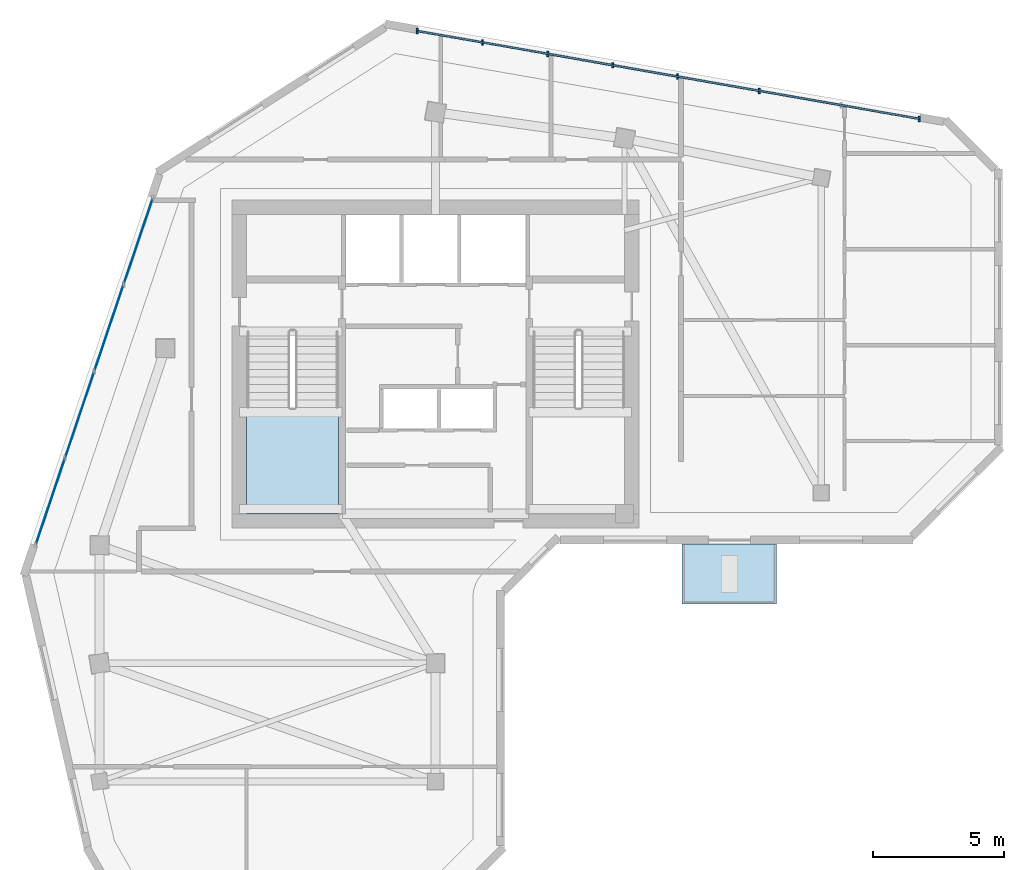
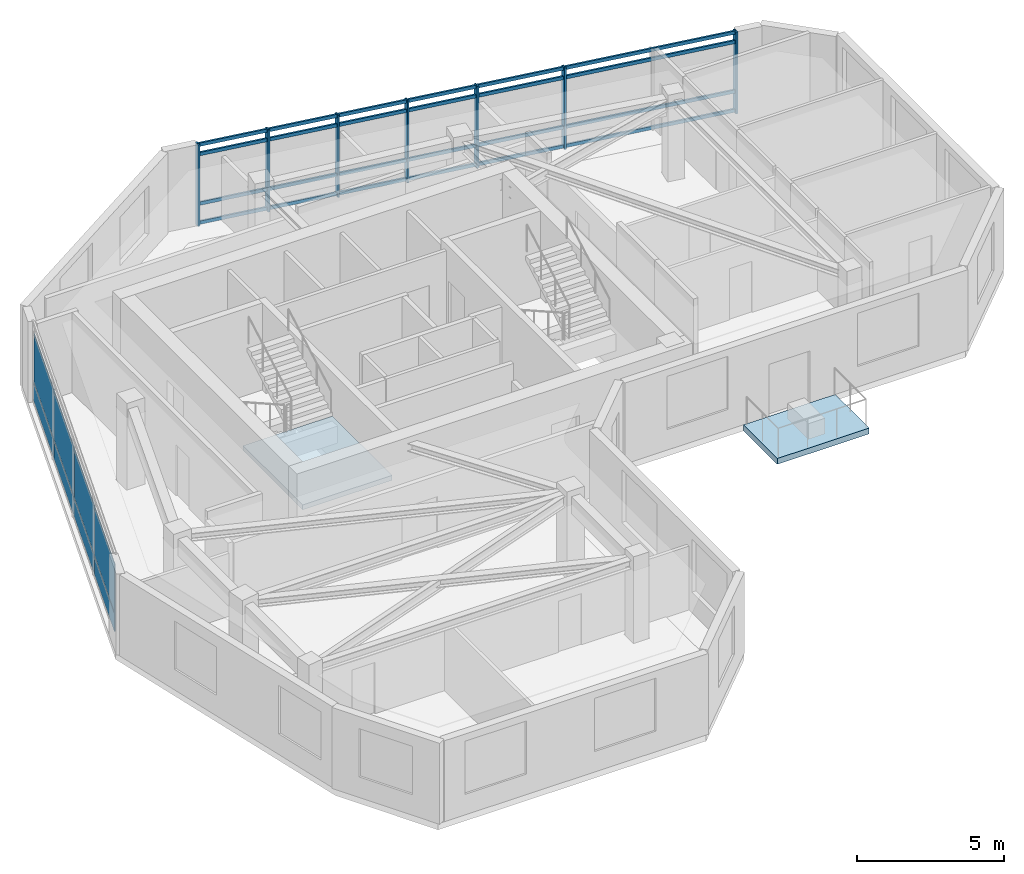
# One storey, part 2 of 9: 11 members, 8 plates, 2 slabs, 3 elements without a shape of their own.
"""IFC4 building model written with IfcOpenShell, lengths in metres."""

from ifc_helpers import new_model, si_unit, direction, frame, frame_2d, origin, origin_2d, place, context, subcontext, project, spatial, polyline, rectangle, outline, extrude, source, transform, mapped, material, layer, layer_set, material_profile, profile_set, type_object, element, aggregate, save


model = new_model("IFC4")

# Units and contexts
model_context = context("Model", 3, precision=1e-05, world=origin(), true_north=direction((0.0, 1.0)))
body_context = subcontext(model_context, "Body", "Model", "MODEL_VIEW")
ifc_project = project(units=[si_unit("LENGTHUNIT", "METRE"), si_unit("AREAUNIT", "SQUARE_METRE"), si_unit("VOLUMEUNIT", "CUBIC_METRE"), si_unit("PLANEANGLEUNIT", "RADIAN"), si_unit("MASSUNIT", "GRAM", prefix="KILO")], contexts=[model_context])

# Site, building, storey
site_placement = place(None, origin())
site = spatial("IfcSite", under=ifc_project, at=site_placement, CompositionType="ELEMENT")
building_placement = place(site_placement, origin())
building = spatial("IfcBuilding", under=site, at=building_placement, Name="Calvemar Wedge Station Tower", CompositionType="ELEMENT")
storey_placement = place(building_placement, frame((0.0, 0.0, 274.5)))
storey = spatial("IfcBuildingStorey", under=building, at=storey_placement, Name="L70", CompositionType="ELEMENT", Elevation=274.5)

# Curtain wall, members
ifc_material_1 = material(Name="Anodised aluminium 6063-T6", Category="aluminium")
curtain_wall_type = type_object("IfcCurtainWallType", Name="CW4", PredefinedType="NOTDEFINED", material=ifc_material_1)
curtain_wall_1_placement = place(storey_placement, origin())
curtain_wall_1 = element("IfcCurtainWall", 1, at=curtain_wall_1_placement, inside=storey, type_object=curtain_wall_type, Name="Storey L70 CW4 Recessed Unitised Curtain Wall 10", PredefinedType="NOTDEFINED")
ifc_material_profile_1 = material_profile(ifc_material_1, rectangle(XDim=0.070068359375, YDim=0.139892578125, at=origin_2d()), Name="AL-TRN-70x140")
ifc_profile_set_1 = profile_set([ifc_material_profile_1], Name="Anodised aluminium 6063-T6")
member_type_1 = type_object("IfcMemberType", Name="CW4-TRN", PredefinedType="USERDEFINED", material=ifc_profile_set_1)
shared_shape_1 = source(origin(), body_context, "Body", "SweptSolid", [
    extrude(rectangle(XDim=0.070068359375, YDim=0.139892578125, at=origin_2d()), origin(), (0.0, 0.0, 1.0), 19.41943359375),
])
member_1_placement = place(storey_placement, frame((42.233642578125, 49.246826171875, 0.06005859375), z_axis=(-0.985038151159, 0.172336417399, 0.0), x_axis=(-0.172336417399, -0.985038151159, 0.0)))
member_1 = element("IfcMember", 2, at=member_1_placement, type_object=member_type_1, Name="CW4 transom 1", ObjectType="TRANSOM", PredefinedType="USERDEFINED", context=body_context, shape_type="MappedRepresentation", body=[
    mapped(shared_shape_1, transform((0.0, 0.0, 0.0), scale=1.0)),
])
member_2_placement = place(storey_placement, frame((42.233642578125, 49.246826171875, 0.85009765625), z_axis=(-0.985038151159, 0.172336417399, 0.0), x_axis=(-0.172336417399, -0.985038151159, 0.0)))
member_2 = element("IfcMember", 3, at=member_2_placement, type_object=member_type_1, Name="CW4 transom 2", ObjectType="TRANSOM", PredefinedType="USERDEFINED", context=body_context, shape_type="MappedRepresentation", body=[
    mapped(shared_shape_1, transform((0.0, 0.0, 0.0), scale=1.0)),
])
member_3_placement = place(storey_placement, frame((42.233642578125, 49.246826171875, 2.89990234375), z_axis=(-0.985038151159, 0.172336417399, 0.0), x_axis=(-0.172336417399, -0.985038151159, 0.0)))
member_3 = element("IfcMember", 4, at=member_3_placement, type_object=member_type_1, Name="CW4 transom 3", ObjectType="TRANSOM", PredefinedType="USERDEFINED", context=body_context, shape_type="MappedRepresentation", body=[
    mapped(shared_shape_1, transform((0.0, 0.0, 0.0), scale=1.0)),
])
member_4_placement = place(storey_placement, frame((42.233642578125, 49.246826171875, 3.2900390625), z_axis=(-0.985038151159, 0.172336417399, 0.0), x_axis=(-0.172336417399, -0.985038151159, 0.0)))
member_4 = element("IfcMember", 5, at=member_4_placement, type_object=member_type_1, Name="CW4 transom 4", ObjectType="TRANSOM", PredefinedType="USERDEFINED", context=body_context, shape_type="MappedRepresentation", body=[
    mapped(shared_shape_1, transform((0.0, 0.0, 0.0), scale=1.0)),
])
ifc_material_profile_2 = material_profile(ifc_material_1, rectangle(XDim=0.070068359375, YDim=0.199951171875, at=origin_2d()), Name="AL-MUL-70x200")
ifc_profile_set_2 = profile_set([ifc_material_profile_2], Name="Anodised aluminium 6063-T6")
member_type_2 = type_object("IfcMemberType", Name="CW4-MUL", PredefinedType="MULLION", material=ifc_profile_set_2)
shared_shape_2 = source(origin(), body_context, "Body", "SweptSolid", [
    extrude(rectangle(XDim=0.070068359375, YDim=0.199951171875, at=origin_2d()), origin(), (0.0, 0.0, 1.0), 3.400146484375),
])
member_5_placement = place(storey_placement, frame((42.233642578125, 49.246826171875, -0.050048828125), z_axis=(0.0, 0.0, 1.0), x_axis=(1.0, 0.0, 0.0)))
member_5 = element("IfcMember", 6, at=member_5_placement, type_object=member_type_2, Name="CW4 mullion 1", PredefinedType="MULLION", context=body_context, shape_type="MappedRepresentation", body=[
    mapped(shared_shape_2, transform((0.0, 0.0, 0.0), scale=1.0)),
])
member_6_placement = place(storey_placement, frame((36.1376953125, 50.3134765625, -0.050048828125), z_axis=(0.0, 0.0, 1.0), x_axis=(1.0, 0.0, 0.0)))
member_6 = element("IfcMember", 7, at=member_6_placement, type_object=member_type_2, Name="CW4 mullion 3", PredefinedType="MULLION", context=body_context, shape_type="MappedRepresentation", body=[
    mapped(shared_shape_2, transform((0.0, 0.0, 0.0), scale=1.0)),
])
member_7_placement = place(storey_placement, frame((33.021484375, 50.8583984375, -0.050048828125), z_axis=(0.0, 0.0, 1.0), x_axis=(1.0, 0.0, 0.0)))
member_7 = element("IfcMember", 8, at=member_7_placement, type_object=member_type_2, Name="CW4 mullion 4", PredefinedType="MULLION", context=body_context, shape_type="MappedRepresentation", body=[
    mapped(shared_shape_2, transform((0.0, 0.0, 0.0), scale=1.0)),
])
member_8_placement = place(storey_placement, frame((30.546630859375, 51.29150390625, -0.050048828125), z_axis=(0.0, 0.0, 1.0), x_axis=(1.0, 0.0, 0.0)))
member_8 = element("IfcMember", 9, at=member_8_placement, type_object=member_type_2, Name="CW4 mullion 5", PredefinedType="MULLION", context=body_context, shape_type="MappedRepresentation", body=[
    mapped(shared_shape_2, transform((0.0, 0.0, 0.0), scale=1.0)),
])
member_9_placement = place(storey_placement, frame((28.071533203125, 51.724609375, -0.050048828125), z_axis=(0.0, 0.0, 1.0), x_axis=(1.0, 0.0, 0.0)))
member_9 = element("IfcMember", 10, at=member_9_placement, type_object=member_type_2, Name="CW4 mullion 6", PredefinedType="MULLION", context=body_context, shape_type="MappedRepresentation", body=[
    mapped(shared_shape_2, transform((0.0, 0.0, 0.0), scale=1.0)),
])
member_10_placement = place(storey_placement, frame((25.588134765625, 52.158935546875, -0.050048828125), z_axis=(0.0, 0.0, 1.0), x_axis=(1.0, 0.0, 0.0)))
member_10 = element("IfcMember", 11, at=member_10_placement, type_object=member_type_2, Name="CW4 mullion 7", PredefinedType="MULLION", context=body_context, shape_type="MappedRepresentation", body=[
    mapped(shared_shape_2, transform((0.0, 0.0, 0.0), scale=1.0)),
])
member_11_placement = place(storey_placement, frame((23.104736328125, 52.593505859375, -0.050048828125), z_axis=(0.0, 0.0, 1.0), x_axis=(1.0, 0.0, 0.0)))
member_11 = element("IfcMember", 12, at=member_11_placement, type_object=member_type_2, Name="CW4 mullion 8", PredefinedType="MULLION", context=body_context, shape_type="MappedRepresentation", body=[
    mapped(shared_shape_2, transform((0.0, 0.0, 0.0), scale=1.0)),
])
aggregate(curtain_wall_1, [member_5, member_6, member_7, member_8, member_9, member_10, member_11, member_1, member_2, member_3, member_4])

# Curtain wall, plates
curtain_wall_2_placement = place(storey_placement, origin())
curtain_wall_2 = element("IfcCurtainWall", 13, at=curtain_wall_2_placement, inside=storey, type_object=curtain_wall_type, Name="Storey L70 CW4 Recessed Unitised Curtain Wall 12", PredefinedType="NOTDEFINED")
ifc_material_2 = material(Name="Low-E laminated insulated glass", Category="glass")
ifc_layer_1 = layer(ifc_material_2, 0.028076171875)
ifc_layer_set_1 = layer_set([ifc_layer_1], Name="Low-E laminated insulated glass")
plate_type_1 = type_object("IfcPlateType", Name="CW4-GLZ", PredefinedType="CURTAIN_PANEL", material=ifc_layer_set_1)
plate_1_placement = place(storey_placement, frame((13.0244140625, 46.223388671875, 0.8701171875), z_axis=(0.0, 0.0, 1.0), x_axis=(-0.319936496662, -0.94743898912, 0.0)))
plate_1 = element("IfcPlate", 14, at=plate_1_placement, type_object=plate_type_1, Name="CW4 vision glass panel 1", PredefinedType="CURTAIN_PANEL", context=body_context, shape_type="SweptSolid", body=[
    extrude(rectangle(XDim=3.453857421875, YDim=0.028076171875, at=frame_2d((1.72705078125, 0.0))), origin(), (0.0, 0.0, 1.0), 2.009765625),
])
plate_2_placement = place(storey_placement, frame((11.907958984375, 42.9169921875, 0.8701171875), z_axis=(0.0, 0.0, 1.0), x_axis=(-0.319936496662, -0.94743898912, 0.0)))
plate_2 = element("IfcPlate", 15, at=plate_2_placement, type_object=plate_type_1, Name="CW4 vision glass panel 2", PredefinedType="CURTAIN_PANEL", context=body_context, shape_type="SweptSolid", body=[
    extrude(rectangle(XDim=3.453857421875, YDim=0.028076171875, at=frame_2d((1.72705078125, 0.0))), origin(), (0.0, 0.0, 1.0), 2.009765625),
])
plate_3_placement = place(storey_placement, frame((10.79150390625, 39.610595703125, 0.8701171875), z_axis=(0.0, 0.0, 1.0), x_axis=(-0.319936496662, -0.94743898912, 0.0)))
plate_3 = element("IfcPlate", 16, at=plate_3_placement, type_object=plate_type_1, Name="CW4 vision glass panel 3", PredefinedType="CURTAIN_PANEL", context=body_context, shape_type="SweptSolid", body=[
    extrude(rectangle(XDim=3.453857421875, YDim=0.028076171875, at=frame_2d((1.72705078125, 0.0))), origin(), (0.0, 0.0, 1.0), 2.009765625),
])
plate_4_placement = place(storey_placement, frame((9.675048828125, 36.30419921875, 0.8701171875), z_axis=(0.0, 0.0, 1.0), x_axis=(-0.31987304157, -0.947460414622, 0.0)))
plate_4 = element("IfcPlate", 17, at=plate_4_placement, type_object=plate_type_1, Name="CW4 vision glass panel 4", PredefinedType="CURTAIN_PANEL", context=body_context, shape_type="SweptSolid", body=[
    extrude(rectangle(XDim=3.45361328125, YDim=0.028076171875, at=frame_2d((1.726806640625, 0.0))), origin(), (0.0, 0.0, 1.0), 2.009765625),
])
ifc_material_3 = material(Name="Oxidized bronze aluminium spandrel panel 5005-H24", Category="aluminium")
ifc_layer_2 = layer(ifc_material_3, 0.0400390625)
ifc_layer_set_2 = layer_set([ifc_layer_2], Name="Oxidized bronze aluminium spandrel panel 5005-H24")
plate_type_2 = type_object("IfcPlateType", Name="CW4-SPD", PredefinedType="SHEET", material=ifc_layer_set_2)
plate_5_placement = place(storey_placement, frame((13.0244140625, 46.223388671875, 0.080078125), z_axis=(0.0, 0.0, 1.0), x_axis=(-0.319936496662, -0.94743898912, 0.0)))
plate_5 = element("IfcPlate", 18, at=plate_5_placement, type_object=plate_type_2, Name="CW4 bronze spandrel panel 1", PredefinedType="SHEET", context=body_context, shape_type="SweptSolid", body=[
    extrude(rectangle(XDim=3.453857421875, YDim=0.0400390625, at=frame_2d((1.72705078125, 0.0))), origin(), (0.0, 0.0, 1.0), 0.75),
])
plate_6_placement = place(storey_placement, frame((11.907958984375, 42.9169921875, 0.080078125), z_axis=(0.0, 0.0, 1.0), x_axis=(-0.319936496662, -0.94743898912, 0.0)))
plate_6 = element("IfcPlate", 19, at=plate_6_placement, type_object=plate_type_2, Name="CW4 bronze spandrel panel 2", PredefinedType="SHEET", context=body_context, shape_type="SweptSolid", body=[
    extrude(rectangle(XDim=3.453857421875, YDim=0.0400390625, at=frame_2d((1.72705078125, 0.0))), origin(), (0.0, 0.0, 1.0), 0.75),
])
plate_7_placement = place(storey_placement, frame((10.79150390625, 39.610595703125, 0.080078125), z_axis=(0.0, 0.0, 1.0), x_axis=(-0.319936496662, -0.94743898912, 0.0)))
plate_7 = element("IfcPlate", 20, at=plate_7_placement, type_object=plate_type_2, Name="CW4 bronze spandrel panel 3", PredefinedType="SHEET", context=body_context, shape_type="SweptSolid", body=[
    extrude(rectangle(XDim=3.453857421875, YDim=0.0400390625, at=frame_2d((1.72705078125, 0.0))), origin(), (0.0, 0.0, 1.0), 0.75),
])
plate_8_placement = place(storey_placement, frame((9.675048828125, 36.30419921875, 0.080078125), z_axis=(0.0, 0.0, 1.0), x_axis=(-0.31987304157, -0.947460414622, 0.0)))
plate_8 = element("IfcPlate", 21, at=plate_8_placement, type_object=plate_type_2, Name="CW4 bronze spandrel panel 4", PredefinedType="SHEET", context=body_context, shape_type="SweptSolid", body=[
    extrude(rectangle(XDim=3.45361328125, YDim=0.0400390625, at=frame_2d((1.726806640625, 0.0))), origin(), (0.0, 0.0, 1.0), 0.75),
])
aggregate(curtain_wall_2, [plate_5, plate_1, plate_6, plate_2, plate_7, plate_3, plate_8, plate_4])

# Stair, slab
ifc_material_4 = material(Name="Concrete C45", Category="concrete")
stair_type = type_object("IfcStairType", Name="ST-TYPE-3600", PredefinedType="HALF_TURN_STAIR", material=ifc_material_4)
stair_placement = place(storey_placement, origin())
stair = element("IfcStair", 22, at=stair_placement, inside=storey, type_object=stair_type, Name="L70 Pressurized Core Exit Stair ST-C1", PredefinedType="HALF_TURN_STAIR")
ifc_layer_3 = layer(ifc_material_4, 0.199951171875)
ifc_layer_set_3 = layer_set([ifc_layer_3], Name="Concrete C45")
slab_type_1 = type_object("IfcSlabType", Name="SL-STAIR-LND-200", PredefinedType="LANDING", material=ifc_layer_set_3)
slab_1_placement = place(storey_placement, frame((0.0, 0.0, 1.60009765625)))
slab_1 = element("IfcSlab", 23, at=slab_1_placement, type_object=slab_type_1, Name="ST-C1 landing 1", PredefinedType="LANDING", context=body_context, shape_type="SweptSolid", body=[
    extrude(outline(polyline([(16.60009765625, 38.25), (16.60009765625, 34.199951171875), (20.10009765625, 34.199951171875), (20.10009765625, 38.25), (16.60009765625, 38.25)])), origin(), (0.0, 0.0, 1.0), 0.199951171875),
])
aggregate(stair, [slab_1])

# Slab
ifc_layer_4 = layer(ifc_material_4, 0.239990234375)
ifc_layer_set_4 = layer_set([ifc_layer_4], Name="Concrete C45")
slab_type_2 = type_object("IfcSlabType", Name="SL-TERR-240", PredefinedType="FLOOR", material=ifc_layer_set_4)
slab_2_placement = place(storey_placement, frame((0.0, 0.0, -0.239990234375)))
element("IfcSlab", 24, at=slab_2_placement, inside=storey, type_object=slab_type_2, Name="Storey L70 Planted Spiral Terrace Slab", PredefinedType="FLOOR", context=body_context, shape_type="SweptSolid", body=[
    extrude(outline(polyline([(33.199951171875, 33.055908203125), (33.199951171875, 30.756103515625), (36.800048828125, 30.756103515625), (36.800048828125, 33.055908203125), (33.199951171875, 33.055908203125)])), origin(), (0.0, 0.0, 1.0), 0.239990234375),
])

save(model, "model.ifc")
